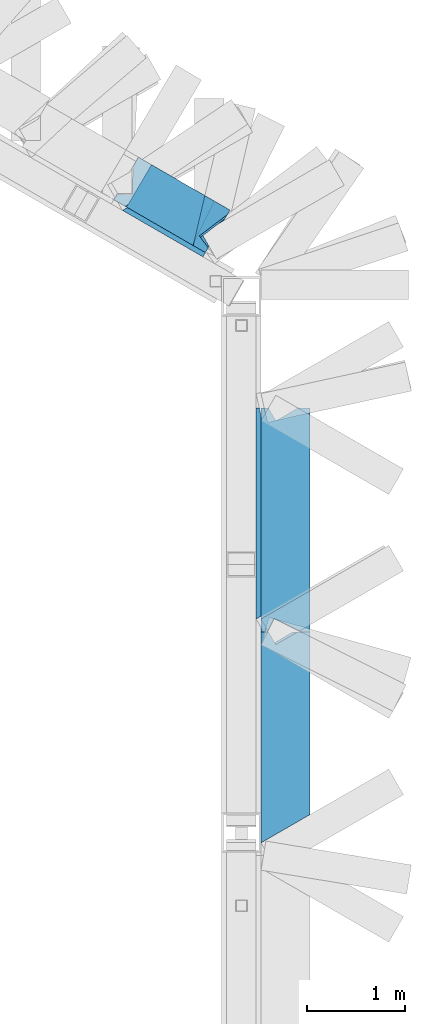
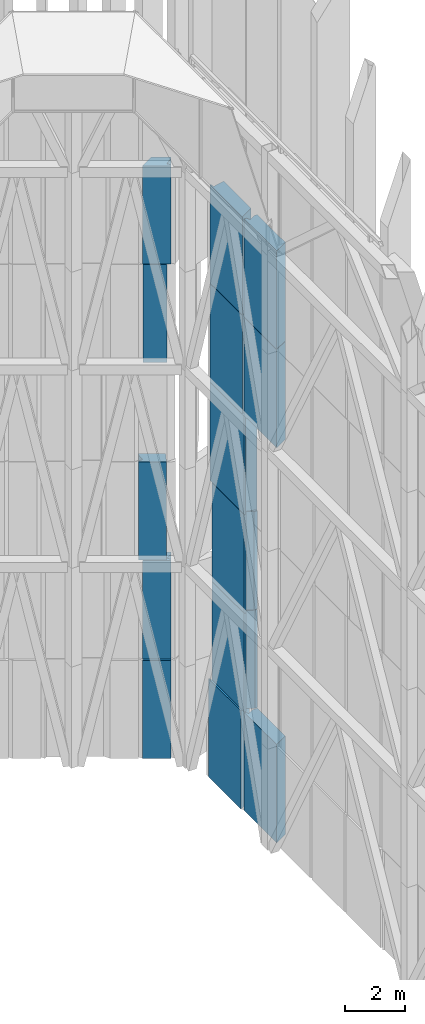
# One storey, part 36 of 45: 14 plates.
"""IFC4 building model written with IfcOpenShell, lengths in metres."""

import ifcopenshell
import ifcopenshell.guid

model = None  # the IFC model being written
_history = None  # IfcOwnerHistory: only IFC2X3 demands one
_inside = {}  # id of a spatial element -> (the spatial element, [elements in it])
_under = {}  # id of a project, library or spatial element -> (it, [spatial elements below it])
_declared = {}  # id of a project -> (the project, [libraries it declares])
_typed = {}  # id of a type object -> (the type object, [elements of that type])
_made_of = {}  # id of a material, layer set ... -> (it, [elements and type objects made of it])


def new_model(schema):
    """Start an empty IFC model of exactly this schema.

    Asked for "IFC4X3", IfcOpenShell would pick the latest addendum, in which some entities
    have other attributes; the version numbers below select the first issue.
    IFC2X3 requires an IfcOwnerHistory on every rooted entity: one is made here for all.
    """
    global model, _history
    if schema == "IFC4X3":
        model = ifcopenshell.file(schema_version=(4, 3, 0, 0))
    else:
        model = ifcopenshell.file(schema=schema)
    _inside.clear()
    _under.clear()
    _declared.clear()
    _typed.clear()
    _made_of.clear()
    _history = None
    if model.schema == "IFC2X3":
        org = make("IfcOrganization", Name="unknown")
        user = make(
            "IfcPersonAndOrganization",
            ThePerson=make("IfcPerson", FamilyName="unknown"),
            TheOrganization=org,
        )
        app = make(
            "IfcApplication",
            ApplicationDeveloper=org,
            Version="unknown",
            ApplicationFullName="unknown",
            ApplicationIdentifier="unknown",
        )
        _history = make(
            "IfcOwnerHistory",
            OwningUser=user,
            OwningApplication=app,
            ChangeAction="ADDED",
            CreationDate=0,
        )
    return model


def make(cls, **values):
    """One entity of the class cls with the attributes given. An attribute that is None is left unset."""
    return model.create_entity(
        cls, **{name: value for name, value in values.items() if value is not None}
    )


def rooted(cls, **values):
    """An entity with a GlobalId (a new one), such as an element, a storey or a relation."""
    return make(cls, GlobalId=ifcopenshell.guid.new(), OwnerHistory=_history, **values)


def si_unit(unit_type, name, prefix=None):
    """IfcSIUnit, for example si_unit("LENGTHUNIT", "METRE", prefix="MILLI")."""
    return make("IfcSIUnit", UnitType=unit_type, Prefix=prefix, Name=name)


def assignment(units):
    """IfcUnitAssignment: the units of a project."""
    return None if units is None else make("IfcUnitAssignment", Units=units)


def point(xyz):
    """IfcCartesianPoint."""
    return None if xyz is None else make("IfcCartesianPoint", Coordinates=xyz)


def direction(xyz):
    """IfcDirection."""
    return None if xyz is None else make("IfcDirection", DirectionRatios=xyz)


def frame(location, z_axis=None, x_axis=None):
    """IfcAxis2Placement3D, a coordinate frame: its origin and axes. An axis left out is left unset."""
    return make(
        "IfcAxis2Placement3D",
        Location=point(location),
        Axis=direction(z_axis),
        RefDirection=direction(x_axis),
    )


def origin():
    """The frame at (0, 0, 0) with its axes left unset."""
    return frame((0.0, 0.0, 0.0))


def place(relative_to, where):
    """IfcLocalPlacement: puts the frame where relative to a parent placement (None: the world)."""
    return make(
        "IfcLocalPlacement", PlacementRelTo=relative_to, RelativePlacement=where
    )


def context(
    kind, dimensions, precision=None, world=None, true_north=None, identifier=None
):
    """IfcGeometricRepresentationContext, for example the 3D "Model" context."""
    return make(
        "IfcGeometricRepresentationContext",
        ContextIdentifier=identifier,
        ContextType=kind,
        CoordinateSpaceDimension=dimensions,
        Precision=precision,
        WorldCoordinateSystem=world,
        TrueNorth=true_north,
    )


def subcontext(parent, identifier, kind, view, scale=None):
    """IfcGeometricRepresentationSubContext, for example "Body" below "Model"."""
    return make(
        "IfcGeometricRepresentationSubContext",
        ContextIdentifier=identifier,
        ContextType=kind,
        ParentContext=parent,
        TargetScale=scale,
        TargetView=view,
    )


def project(units=None, contexts=None):
    """IfcProject with its units and contexts."""
    return rooted(
        "IfcProject",
        Name="project",
        RepresentationContexts=contexts,
        UnitsInContext=assignment(units),
    )


def spatial(cls, under=None, at=None, **own):
    """A site, building, storey or space (cls), placed at a placement, below another one or the project."""
    s = rooted(cls, ObjectPlacement=at, **own)
    if under is not None:
        _under.setdefault(under.id(), (under, []))[1].append(s)
    return s


def polyline(points):
    """IfcPolyline through the points."""
    return make("IfcPolyline", Points=[point(p) for p in points])


def outline(outer, holes=None, kind="AREA"):
    """IfcArbitraryClosedProfileDef: a profile drawn as a closed curve; with holes, ...WithVoids."""
    if holes is None:
        return make("IfcArbitraryClosedProfileDef", ProfileType=kind, OuterCurve=outer)
    return make(
        "IfcArbitraryProfileDefWithVoids",
        ProfileType=kind,
        OuterCurve=outer,
        InnerCurves=holes,
    )


def extrude(swept, where, along, depth):
    """IfcExtrudedAreaSolid: the profile swept, set in the frame where, extruded along a direction by depth."""
    return make(
        "IfcExtrudedAreaSolid",
        SweptArea=swept,
        Position=where,
        ExtrudedDirection=direction(along),
        Depth=depth,
    )


def shape(context_of_items, identifier, shape_type, items):
    """IfcShapeRepresentation: the items that make up one representation, for example the "Body"."""
    return make(
        "IfcShapeRepresentation",
        ContextOfItems=context_of_items,
        RepresentationIdentifier=identifier,
        RepresentationType=shape_type,
        Items=items,
    )


def material(Name=None, Category=None):
    """IfcMaterial."""
    return make("IfcMaterial", Name=Name, Category=Category)


def layer(
    of_material, thickness, ventilated=None, Name=None, Category=None, Priority=None
):
    """IfcMaterialLayer: one layer of a wall or slab, of a material (None: an air gap)."""
    return make(
        "IfcMaterialLayer",
        Material=of_material,
        LayerThickness=thickness,
        IsVentilated=ventilated,
        Name=Name,
        Category=Category,
        Priority=Priority,
    )


def layer_set(layers, Name=None):
    """IfcMaterialLayerSet."""
    return make("IfcMaterialLayerSet", MaterialLayers=layers, LayerSetName=Name)


def made_of(thing, what):
    """Note that an element or type object is made of a material, layer set ...; save() writes the relation."""
    if what is not None:
        _made_of.setdefault(what.id(), (what, []))[1].append(thing)
    return thing


def type_object(cls, material=None, **own):
    """A type object (cls), such as IfcWallType, which elements share."""
    return made_of(rooted(cls, **own), material)


def element(
    cls,
    number,
    at=None,
    inside=None,
    cuts=None,
    type_object=None,
    material=None,
    context=None,
    identifier="Body",
    shape_type=None,
    held_by="IfcProductDefinitionShape",
    body=None,
    shapes=None,
    **own,
):
    """One element of the class cls, such as IfcWall. Its Tag is "e" and its number.

    at: its placement. inside: the storey or other place that contains it. cuts: it is an
    opening in that element (IfcRelVoidsElement). A single representation is given by context,
    identifier, shape_type and body (its items); several are given by shapes. held_by: the class
    of the entity that holds the representations. save() writes the other relations.
    """
    e = rooted(cls, Tag="e%d" % number, ObjectPlacement=at, **own)
    if body is not None:
        shapes = [shape(context, identifier, shape_type, body)]
    if shapes is not None:
        e.Representation = make(held_by, Representations=shapes)
    if inside is not None:
        _inside.setdefault(inside.id(), (inside, []))[1].append(e)
    if cuts is not None:
        rooted(
            "IfcRelVoidsElement", RelatingBuildingElement=cuts, RelatedOpeningElement=e
        )
    if type_object is not None:
        _typed.setdefault(type_object.id(), (type_object, []))[1].append(e)
    return made_of(e, material)


def aggregate(whole, parts):
    """IfcRelAggregates: a whole, such as a stair, and the parts it consists of."""
    return rooted("IfcRelAggregates", RelatingObject=whole, RelatedObjects=parts)


def save(model, path):
    """Write the relations noted so far, then the file.

    IfcRelAggregates (storeys below a building ...), IfcRelContainedInSpatialStructure (elements
    in a storey), IfcRelDefinesByType, IfcRelAssociatesMaterial and IfcRelDeclares: one each for
    every whole, place, type object, material and project.
    """
    for whole, parts in _under.values():
        aggregate(whole, parts)
    for where, things in _inside.values():
        rooted(
            "IfcRelContainedInSpatialStructure",
            RelatedElements=things,
            RelatingStructure=where,
        )
    for kind, things in _typed.values():
        rooted("IfcRelDefinesByType", RelatedObjects=things, RelatingType=kind)
    for what, things in _made_of.values():
        rooted("IfcRelAssociatesMaterial", RelatedObjects=things, RelatingMaterial=what)
    for by, libraries in _declared.values():
        rooted("IfcRelDeclares", RelatingContext=by, RelatedDefinitions=libraries)
    model.write(path)


model = new_model("IFC4")

# Units and contexts
model_context = context("Model", 3, precision=1e-05, world=origin(), true_north=direction((0.0, 1.0)))
body_context = subcontext(model_context, "Body", "Model", "MODEL_VIEW")
ifc_project = project(units=[si_unit("LENGTHUNIT", "METRE"), si_unit("AREAUNIT", "SQUARE_METRE"), si_unit("VOLUMEUNIT", "CUBIC_METRE"), si_unit("PLANEANGLEUNIT", "RADIAN"), si_unit("MASSUNIT", "GRAM", prefix="KILO")], contexts=[model_context])

# Site, building, storey
site_placement = place(None, origin())
site = spatial("IfcSite", under=ifc_project, at=site_placement, CompositionType="ELEMENT")
building_placement = place(site_placement, origin())
building = spatial("IfcBuilding", under=site, at=building_placement, Name="Jabali Bay Hotel Tower and Convention Centre", CompositionType="ELEMENT")
storey_placement = place(building_placement, frame((0.0, 0.0, 322.39990234375)))
storey = spatial("IfcBuildingStorey", under=building, at=storey_placement, Name="Crown", CompositionType="ELEMENT", Elevation=322.39990234375)

# Plates
ifc_material = material(Name="Precast concrete C60", Category="concrete")
ifc_layer = layer(ifc_material, 0.5)
ifc_layer_set = layer_set([ifc_layer], Name="Precast concrete C60")
plate_type = type_object("IfcPlateType", Name="Pierced precast screen", PredefinedType="USERDEFINED", material=ifc_layer_set)
plate_1_placement = place(storey_placement, frame((0.0, 0.0, 0.010009765625)))
element("IfcPlate", 1, at=plate_1_placement, inside=storey, type_object=plate_type, Name="Screen 1.0.18", ObjectType="SCREEN", PredefinedType="USERDEFINED", context=body_context, shape_type="SweptSolid", body=[
    extrude(outline(polyline([(93.348876953125, 100.4873046875), (93.348876953125, 98.341064453125), (93.848876953125, 98.629638671875), (93.848876953125, 100.4873046875), (93.673828125, 100.4873046875), (93.44873046875, 100.357421875), (93.373779296875, 100.4873046875), (93.348876953125, 100.4873046875)])), origin(), (0.0, 0.0, 1.0), 3.9658203125),
])
plate_2_placement = place(storey_placement, frame((0.0, 0.0, 0.010009765625)))
element("IfcPlate", 2, at=plate_2_placement, inside=storey, type_object=plate_type, Name="Screen 1.0.19", ObjectType="SCREEN", PredefinedType="USERDEFINED", context=body_context, shape_type="SweptSolid", body=[
    extrude(outline(polyline([(93.298828125, 102.763671875), (93.298828125, 100.617431640625), (93.798828125, 100.906005859375), (93.798828125, 102.712158203125), (93.362548828125, 102.6171875), (93.33056640625, 102.763671875), (93.298828125, 102.763671875)])), origin(), (0.0, 0.0, 1.0), 3.9658203125),
])
plate_3_placement = place(storey_placement, frame((0.0, 0.0, 0.010009765625)))
element("IfcPlate", 3, at=plate_3_placement, inside=storey, type_object=plate_type, Name="Screen 1.1.21", ObjectType="SCREEN", PredefinedType="USERDEFINED", context=body_context, shape_type="SweptSolid", body=[
    extrude(outline(polyline([(91.9384765625, 104.77392578125), (92.7578125, 104.30078125), (92.786865234375, 104.35107421875), (92.69580078125, 104.470458984375), (92.98095703125, 104.6875), (93.0078125, 104.73388671875), (92.4384765625, 105.062744140625), (91.9384765625, 104.77392578125)])), origin(), (0.0, 0.0, 1.0), 3.9658203125),
])
plate_4_placement = place(storey_placement, frame((0.0, 0.0, 3.995849609375)))
element("IfcPlate", 4, at=plate_4_placement, inside=storey, type_object=plate_type, Name="Screen 2.0.19", ObjectType="SCREEN", PredefinedType="USERDEFINED", context=body_context, shape_type="SweptSolid", body=[
    extrude(outline(polyline([(93.348876953125, 102.6337890625), (93.348876953125, 100.4873046875), (93.416015625, 100.4873046875), (93.483154296875, 100.62158203125), (93.750732421875, 100.4873046875), (93.848876953125, 100.4873046875), (93.848876953125, 102.34521484375), (93.348876953125, 102.6337890625)])), origin(), (0.0, 0.0, 1.0), 3.965576171875),
])
plate_5_placement = place(storey_placement, frame((0.0, 0.0, 3.995849609375)))
element("IfcPlate", 5, at=plate_5_placement, inside=storey, type_object=plate_type, Name="Screen 2.1.21", ObjectType="SCREEN", PredefinedType="USERDEFINED", context=body_context, shape_type="SweptSolid", body=[
    extrude(outline(polyline([(91.967529296875, 104.81494140625), (92.78271484375, 104.34423828125), (92.8203125, 104.4091796875), (92.745361328125, 104.5390625), (92.97021484375, 104.6689453125), (93.03271484375, 104.777099609375), (92.429931640625, 105.125244140625), (91.967529296875, 104.81494140625)])), origin(), (0.0, 0.0, 1.0), 3.965576171875),
])
plate_6_placement = place(storey_placement, frame((0.0, 0.0, 7.9814453125)))
element("IfcPlate", 6, at=plate_6_placement, inside=storey, type_object=plate_type, Name="Screen 3.0.19", ObjectType="SCREEN", PredefinedType="USERDEFINED", context=body_context, shape_type="SweptSolid", body=[
    extrude(outline(polyline([(93.348876953125, 102.6337890625), (93.348876953125, 100.4873046875), (93.423828125, 100.4873046875), (93.498779296875, 100.617431640625), (93.7236328125, 100.4873046875), (93.848876953125, 100.4873046875), (93.848876953125, 102.34521484375), (93.348876953125, 102.6337890625)])), origin(), (0.0, 0.0, 1.0), 3.9658203125),
])
plate_7_placement = place(storey_placement, frame((0.0, 0.0, 7.9814453125)))
element("IfcPlate", 7, at=plate_7_placement, inside=storey, type_object=plate_type, Name="Screen 3.1.21", ObjectType="SCREEN", PredefinedType="USERDEFINED", context=body_context, shape_type="SweptSolid", body=[
    extrude(outline(polyline([(91.850830078125, 104.88232421875), (92.653076171875, 104.4189453125), (92.875732421875, 104.867919921875), (92.100830078125, 105.315185546875), (92.05029296875, 105.2275390625), (92.03466796875, 104.933349609375), (91.885009765625, 104.941162109375), (91.850830078125, 104.88232421875)])), origin(), (0.0, 0.0, 1.0), 3.9658203125),
])
plate_8_placement = place(storey_placement, frame((0.0, 0.0, 11.96728515625)))
element("IfcPlate", 8, at=plate_8_placement, inside=storey, type_object=plate_type, Name="Screen 4.0.19", ObjectType="SCREEN", PredefinedType="USERDEFINED", context=body_context, shape_type="SweptSolid", body=[
    extrude(outline(polyline([(93.348876953125, 102.763671875), (93.348876953125, 100.4873046875), (93.38916015625, 100.4873046875), (93.4296875, 100.6318359375), (93.848876953125, 100.514404296875), (93.848876953125, 102.71826171875), (93.416748046875, 102.61767578125), (93.3828125, 102.763671875), (93.348876953125, 102.763671875)])), origin(), (0.0, 0.0, 1.0), 3.965576171875),
])
plate_9_placement = place(storey_placement, frame((0.0, 0.0, 15.952880859375)))
element("IfcPlate", 9, at=plate_9_placement, inside=storey, type_object=plate_type, Name="Screen 5.0.18", ObjectType="SCREEN", PredefinedType="USERDEFINED", context=body_context, shape_type="SweptSolid", body=[
    extrude(outline(polyline([(93.348876953125, 100.4873046875), (93.348876953125, 98.341064453125), (93.848876953125, 98.629638671875), (93.848876953125, 100.4873046875), (93.7236328125, 100.4873046875), (93.498779296875, 100.357421875), (93.423828125, 100.4873046875), (93.348876953125, 100.4873046875)])), origin(), (0.0, 0.0, 1.0), 3.9658203125),
])
plate_10_placement = place(storey_placement, frame((0.0, 0.0, 15.952880859375)))
element("IfcPlate", 10, at=plate_10_placement, inside=storey, type_object=plate_type, Name="Screen 5.0.19", ObjectType="SCREEN", PredefinedType="USERDEFINED", context=body_context, shape_type="SweptSolid", body=[
    extrude(outline(polyline([(93.348876953125, 102.763671875), (93.348876953125, 100.617431640625), (93.848876953125, 100.906005859375), (93.848876953125, 102.763671875), (93.7236328125, 102.763671875), (93.498779296875, 102.6337890625), (93.423828125, 102.763671875), (93.348876953125, 102.763671875)])), origin(), (0.0, 0.0, 1.0), 3.9658203125),
])
plate_11_placement = place(storey_placement, frame((0.0, 0.0, 15.952880859375)))
element("IfcPlate", 11, at=plate_11_placement, inside=storey, type_object=plate_type, Name="Screen 5.1.21", ObjectType="SCREEN", PredefinedType="USERDEFINED", context=body_context, shape_type="SweptSolid", body=[
    extrude(outline(polyline([(91.980712890625, 104.807373046875), (92.658447265625, 104.416015625), (92.77734375, 104.9248046875), (92.23486328125, 105.238037109375), (91.980712890625, 104.807373046875)])), origin(), (0.0, 0.0, 1.0), 3.9658203125),
])
plate_12_placement = place(storey_placement, frame((0.0, 0.0, 19.938720703125)))
element("IfcPlate", 12, at=plate_12_placement, inside=storey, type_object=plate_type, Name="Screen 6.0.18", ObjectType="SCREEN", PredefinedType="USERDEFINED", context=body_context, shape_type="SweptSolid", body=[
    extrude(outline(polyline([(93.348876953125, 100.4873046875), (93.348876953125, 98.341064453125), (93.848876953125, 98.629638671875), (93.848876953125, 100.4873046875), (93.7236328125, 100.4873046875), (93.498779296875, 100.357421875), (93.423828125, 100.4873046875), (93.348876953125, 100.4873046875)])), origin(), (0.0, 0.0, 1.0), 3.965576171875),
])
plate_13_placement = place(storey_placement, frame((0.0, 0.0, 19.938720703125)))
element("IfcPlate", 13, at=plate_13_placement, inside=storey, type_object=plate_type, Name="Screen 6.0.19", ObjectType="SCREEN", PredefinedType="USERDEFINED", context=body_context, shape_type="SweptSolid", body=[
    extrude(outline(polyline([(93.348876953125, 102.763671875), (93.348876953125, 100.617431640625), (93.848876953125, 100.906005859375), (93.848876953125, 102.712158203125), (93.41259765625, 102.6171875), (93.380615234375, 102.763671875), (93.348876953125, 102.763671875)])), origin(), (0.0, 0.0, 1.0), 3.965576171875),
])
plate_14_placement = place(storey_placement, frame((0.0, 0.0, 19.938720703125)))
element("IfcPlate", 14, at=plate_14_placement, inside=storey, type_object=plate_type, Name="Screen 6.1.21", ObjectType="SCREEN", PredefinedType="USERDEFINED", context=body_context, shape_type="SweptSolid", body=[
    extrude(outline(polyline([(91.96337890625, 104.8173828125), (92.78271484375, 104.34423828125), (92.811767578125, 104.394287109375), (92.720947265625, 104.513671875), (93.006103515625, 104.730712890625), (93.03271484375, 104.777099609375), (92.46337890625, 105.10595703125), (91.96337890625, 104.8173828125)])), origin(), (0.0, 0.0, 1.0), 3.965576171875),
])

save(model, "model.ifc")
